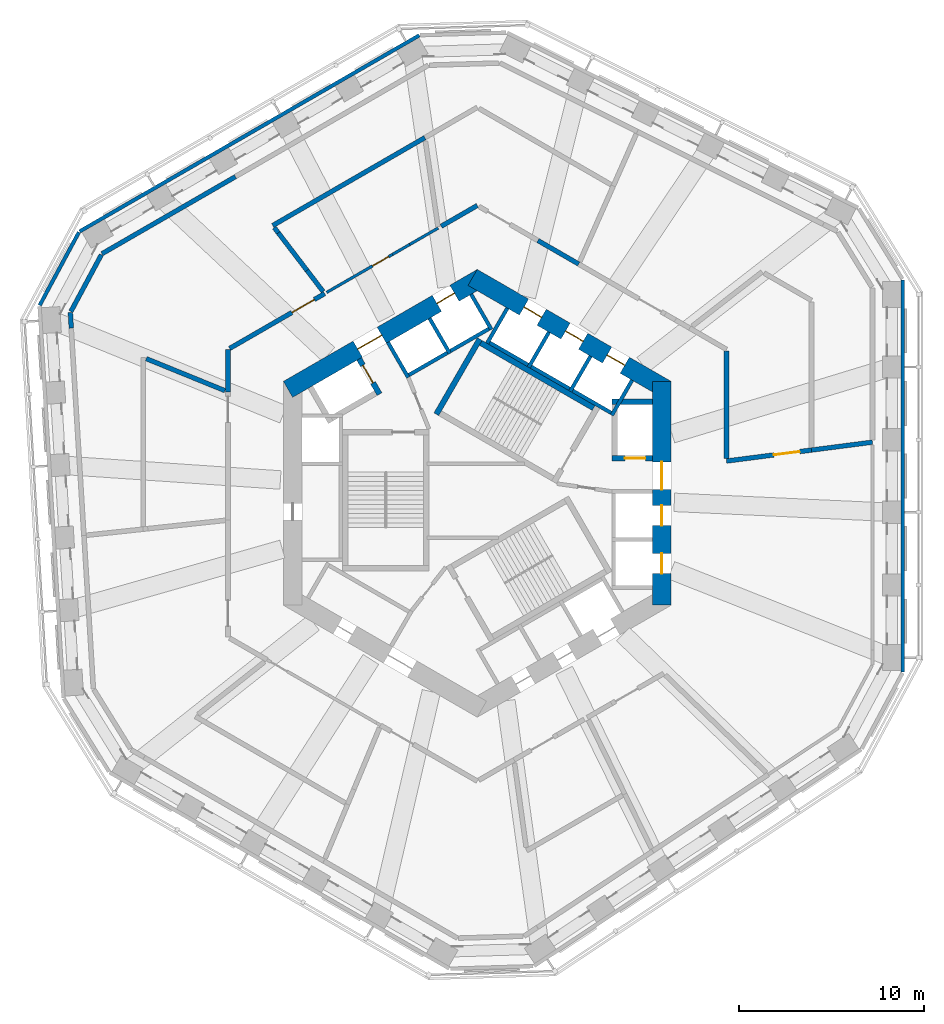
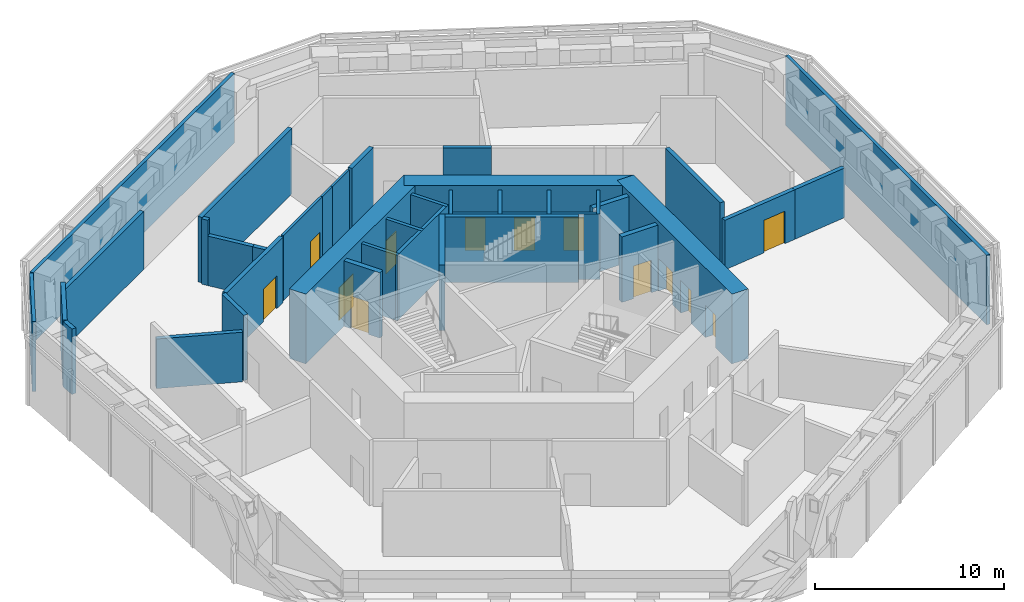
# One storey, part 7 of 15: 38 walls, 13 doors, 13 openings.
"""IFC4 building model written with IfcOpenShell, lengths in metres."""

from ifc_helpers import new_model, si_unit, direction, frame, frame_2d, origin, place, context, subcontext, project, spatial, rectangle, extrude, material, layer, layer_set, type_object, element, fill, save


model = new_model("IFC4")

# Units and contexts
model_context = context("Model", 3, precision=1e-05, world=origin(), true_north=direction((0.0, 1.0)))
body_context = subcontext(model_context, "Body", "Model", "MODEL_VIEW")
ifc_project = project(units=[si_unit("LENGTHUNIT", "METRE"), si_unit("AREAUNIT", "SQUARE_METRE"), si_unit("VOLUMEUNIT", "CUBIC_METRE"), si_unit("PLANEANGLEUNIT", "RADIAN"), si_unit("MASSUNIT", "GRAM", prefix="KILO")], contexts=[model_context])

# Site, building, storey
site_placement = place(None, origin())
site = spatial("IfcSite", under=ifc_project, at=site_placement, CompositionType="ELEMENT")
building_placement = place(site_placement, origin())
building = spatial("IfcBuilding", under=site, at=building_placement, Name="Vanh Sen Convention Tower", CompositionType="ELEMENT")
storey_placement = place(building_placement, frame((0.0, 0.0, 119.89990234375)))
storey = spatial("IfcBuildingStorey", under=building, at=storey_placement, Name="L29", CompositionType="ELEMENT", Elevation=119.89990234375)

# Wall, opening, door
ifc_material_1 = material(Name="Concrete C40/50", Category="concrete")
ifc_layer_1 = layer(ifc_material_1, 0.25)
ifc_layer_set_1 = layer_set([ifc_layer_1], Name="Concrete C40/50")
wall_type_1 = type_object("IfcWallType", Name="Concrete wall 250 EI 180", PredefinedType="SOLIDWALL", material=ifc_layer_set_1)
wall_1_placement = place(storey_placement, frame((18.10009765625, 2.341552734375, 0.0), z_axis=(0.0, 0.0, 1.0), x_axis=(-0.991739248087, -0.128270276382, 0.0)))
wall_1 = element("IfcWall", 1, at=wall_1_placement, inside=storey, type_object=wall_type_1, Name="Fire-resisting wall L29-041", PredefinedType="SOLIDWALL", context=body_context, shape_type="SweptSolid", body=[
    extrude(rectangle(XDim=4.638427734375, YDim=0.25, at=frame_2d((2.3193359375, 0.0))), origin(), (0.0, 0.0, 1.0), 3.2001953125),
])
opening_1_placement = place(wall_1_placement, frame((0.64990234375, 0.0, 0.0)))
opening_1 = element("IfcOpeningElement", 2, at=opening_1_placement, cuts=wall_1, Name="Opening D29107", PredefinedType="OPENING", context=body_context, shape_type="SweptSolid", body=[
    extrude(rectangle(XDim=1.39990234375, YDim=2.10009765625, at=frame_2d((0.699951171875, 1.050048828125))), frame((0.0, 0.135009765625, 0.0), z_axis=(0.0, -1.0, 0.0), x_axis=(1.0, 0.0, 0.0)), (0.0, 0.0, 1.0), 0.27001953125),
])
ifc_material_2 = material(Name="Steel S355", Category="steel")
door_type_1 = type_object("IfcDoorType", Name="Service door 1400 EI 60", OperationType="SINGLE_SWING_LEFT", PredefinedType="DOOR", material=ifc_material_2)
door_1_placement = place(opening_1_placement, origin())
door_1 = element("IfcDoor", 3, at=door_1_placement, inside=storey, type_object=door_type_1, Name="Service door D29107", OperationType="SINGLE_SWING_LEFT", OverallHeight=2.10009765625, OverallWidth=1.39990234375, PredefinedType="DOOR", context=body_context, shape_type="SweptSolid", body=[
    extrude(rectangle(XDim=1.39990234375, YDim=2.10009765625, at=frame_2d((0.699951171875, 1.050048828125))), frame((0.0, 0.02490234375, 0.0), z_axis=(0.0, -1.0, 0.0), x_axis=(1.0, 0.0, 0.0)), (0.0, 0.0, 1.0), 0.050048828125),
])
fill(opening_1, door_1)

# Walls
wall_2_placement = place(storey_placement, frame((18.100341796875, 2.341552734375, 0.0), z_axis=(0.0, 0.0, 1.0), x_axis=(0.99173002922, 0.128341533193, 0.0)))
element("IfcWall", 4, at=wall_2_placement, inside=storey, type_object=wall_type_1, Name="Fire-resisting wall L29-042", PredefinedType="SOLIDWALL", context=body_context, shape_type="SweptSolid", body=[
    extrude(rectangle(XDim=3.3271484375, YDim=0.25, at=frame_2d((1.66357421875, 0.0))), origin(), (0.0, 0.0, 1.0), 3.2001953125),
])
wall_3_placement = place(storey_placement, frame((-13.5, 5.491943359375, 0.0), z_axis=(0.0, 0.0, 1.0), x_axis=(0.0, 1.0, 0.0)))
element("IfcWall", 5, at=wall_3_placement, inside=storey, type_object=wall_type_1, Name="Fire-resisting wall L29-044", PredefinedType="SOLIDWALL", context=body_context, shape_type="SweptSolid", body=[
    extrude(rectangle(XDim=2.302001953125, YDim=0.25, at=frame_2d((1.15087890625, 0.0))), origin(), (0.0, 0.0, 1.0), 4.22021484375),
])
wall_4_placement = place(storey_placement, frame((-17.929443359375, 7.293701171875, 0.0), z_axis=(0.0, 0.0, 1.0), x_axis=(0.926302305382, -0.376781155373, 0.0)))
element("IfcWall", 6, at=wall_4_placement, inside=storey, type_object=wall_type_1, Name="Fire-resisting wall L29-045", PredefinedType="SOLIDWALL", context=body_context, shape_type="SweptSolid", body=[
    extrude(rectangle(XDim=4.601806640625, YDim=0.25, at=frame_2d((2.30078125, 0.0))), origin(), (0.0, 0.0, 1.0), 3.2001953125),
])
wall_5_placement = place(storey_placement, frame((13.5, 7.694091796875, 0.0), z_axis=(0.0, 0.0, 1.0), x_axis=(0.0, -1.0, 0.0)))
element("IfcWall", 7, at=wall_5_placement, inside=storey, type_object=wall_type_1, Name="Fire-resisting wall L29-046", PredefinedType="SOLIDWALL", context=body_context, shape_type="SweptSolid", body=[
    extrude(rectangle(XDim=5.8076171875, YDim=0.25, at=frame_2d((2.90380859375, 0.0))), origin(), (0.0, 0.0, 1.0), 4.22021484375),
])
wall_6_placement = place(storey_placement, frame((-21.987060546875, 8.944580078125, 0.0), z_axis=(0.0, 0.0, 1.0), x_axis=(-0.061285563041, 0.998120273195, 0.0)))
element("IfcWall", 8, at=wall_6_placement, inside=storey, type_object=wall_type_1, Name="Fire-resisting wall L29-048", PredefinedType="SOLIDWALL", context=body_context, shape_type="SweptSolid", body=[
    extrude(rectangle(XDim=0.8486328125, YDim=0.25, at=frame_2d((0.42431640625, 0.0))), origin(), (0.0, 0.0, 1.0), 4.22021484375),
])
wall_7_placement = place(storey_placement, frame((-22.010498046875, 9.84423828125, 0.0), z_axis=(0.0, 0.0, 1.0), x_axis=(0.473332602643, 0.88088378761, 0.0)))
element("IfcWall", 9, at=wall_7_placement, inside=storey, type_object=wall_type_1, Name="Fire-resisting wall L29-052", PredefinedType="SOLIDWALL", context=body_context, shape_type="SweptSolid", body=[
    extrude(rectangle(XDim=3.492431640625, YDim=0.25, at=frame_2d((1.74609375, 0.0))), origin(), (0.0, 0.0, 1.0), 4.22021484375),
])

# Wall, opening, door
wall_8_placement = place(storey_placement, frame((-8.262451171875, 10.818115234375, 0.0), z_axis=(0.0, 0.0, 1.0), x_axis=(-0.866006491466, -0.500032755666, 0.0)))
wall_8 = element("IfcWall", 10, at=wall_8_placement, inside=storey, type_object=wall_type_1, Name="Fire-resisting wall L29-054", PredefinedType="SOLIDWALL", context=body_context, shape_type="SweptSolid", body=[
    extrude(rectangle(XDim=5.94775390625, YDim=0.25, at=frame_2d((2.973876953125, 0.0))), origin(), (0.0, 0.0, 1.0), 4.22021484375),
])
opening_2_placement = place(wall_8_placement, frame((0.64990234375, 0.0, 0.0)))
opening_2 = element("IfcOpeningElement", 11, at=opening_2_placement, cuts=wall_8, Name="Opening D29109", PredefinedType="OPENING", context=body_context, shape_type="SweptSolid", body=[
    extrude(rectangle(XDim=1.39990234375, YDim=2.10009765625, at=frame_2d((0.699951171875, 1.050048828125))), frame((0.0, 0.135009765625, 0.0), z_axis=(0.0, -1.0, 0.0), x_axis=(1.0, 0.0, 0.0)), (0.0, 0.0, 1.0), 0.27001953125),
])
door_2_placement = place(opening_2_placement, origin())
door_2 = element("IfcDoor", 12, at=door_2_placement, inside=storey, type_object=door_type_1, Name="Service door D29109", OperationType="SINGLE_SWING_LEFT", OverallHeight=2.10009765625, OverallWidth=1.39990234375, PredefinedType="DOOR", context=body_context, shape_type="SweptSolid", body=[
    extrude(rectangle(XDim=1.39990234375, YDim=2.10009765625, at=frame_2d((0.699951171875, 1.050048828125))), frame((0.0, 0.02490234375, 0.0), z_axis=(0.0, -1.0, 0.0), x_axis=(1.0, 0.0, 0.0)), (0.0, 0.0, 1.0), 0.050048828125),
])
fill(opening_2, door_2)

# Walls
wall_9_placement = place(storey_placement, frame((-8.34765625, 10.929443359375, 0.0), z_axis=(0.0, 0.0, 1.0), x_axis=(-0.606915548717, 0.794766328379, 0.0)))
element("IfcWall", 13, at=wall_9_placement, inside=storey, type_object=wall_type_1, Name="Fire-resisting wall L29-056", PredefinedType="SOLIDWALL", context=body_context, shape_type="SweptSolid", body=[
    extrude(rectangle(XDim=1.44140625, YDim=0.25, at=frame_2d((0.720703125, 0.0))), origin(), (0.0, 0.0, 1.0), 3.2001953125),
])
wall_10_placement = place(storey_placement, frame((-9.222412109375, 12.074951171875, 0.0), z_axis=(0.0, 0.0, 1.0), x_axis=(-0.607067159329, 0.794650529518, 0.0)))
element("IfcWall", 14, at=wall_10_placement, inside=storey, type_object=wall_type_1, Name="Fire-resisting wall L29-060", PredefinedType="SOLIDWALL", context=body_context, shape_type="SweptSolid", body=[
    extrude(rectangle(XDim=2.55615234375, YDim=0.25, at=frame_2d((1.278076171875, 0.0))), origin(), (0.0, 0.0, 1.0), 3.2001953125),
])
wall_11_placement = place(storey_placement, frame((5.4951171875, 12.416015625, 0.0), z_axis=(0.0, 0.0, 1.0), x_axis=(-0.866043744811, 0.499968231064, 0.0)))
element("IfcWall", 15, at=wall_11_placement, inside=storey, type_object=wall_type_1, Name="Fire-resisting wall L29-061", PredefinedType="SOLIDWALL", context=body_context, shape_type="SweptSolid", body=[
    extrude(rectangle(XDim=2.551025390625, YDim=0.25, at=frame_2d((1.275390625, 0.0))), origin(), (0.0, 0.0, 1.0), 4.22021484375),
])
wall_12_placement = place(storey_placement, frame((-20.3291015625, 12.973388671875, 0.0), z_axis=(0.0, 0.0, 1.0), x_axis=(0.866019549707, 0.500010139422, 0.0)))
element("IfcWall", 16, at=wall_12_placement, inside=storey, type_object=wall_type_1, Name="Fire-resisting wall L29-063", PredefinedType="SOLIDWALL", context=body_context, shape_type="SweptSolid", body=[
    extrude(rectangle(XDim=8.349853515625, YDim=0.25, at=frame_2d((4.1748046875, 0.0))), origin(), (0.0, 0.0, 1.0), 3.72021484375),
])
wall_13_placement = place(storey_placement, frame((-10.991455078125, 14.390625, 0.0), z_axis=(0.0, 0.0, 1.0), x_axis=(0.607070265523, -0.794648156556, 0.0)))
element("IfcWall", 17, at=wall_13_placement, inside=storey, type_object=wall_type_1, Name="Fire-resisting wall L29-067", PredefinedType="SOLIDWALL", context=body_context, shape_type="SweptSolid", body=[
    extrude(rectangle(XDim=0.35791015625, YDim=0.25, at=frame_2d((0.178955078125, 0.0))), origin(), (0.0, 0.0, 1.0), 4.22021484375),
])
wall_14_placement = place(storey_placement, frame((-1.952392578125, 14.46142578125, 0.0), z_axis=(0.0, 0.0, 1.0), x_axis=(0.866075582212, 0.499913078341, 0.0)))
element("IfcWall", 18, at=wall_14_placement, inside=storey, type_object=wall_type_1, Name="Fire-resisting wall L29-069", PredefinedType="SOLIDWALL", context=body_context, shape_type="SweptSolid", body=[
    extrude(rectangle(XDim=2.25439453125, YDim=0.25, at=frame_2d((1.127197265625, 0.0))), origin(), (0.0, 0.0, 1.0), 4.22021484375),
])
wall_15_placement = place(storey_placement, frame((-11.077880859375, 14.50390625, 0.0), z_axis=(0.0, 0.0, 1.0), x_axis=(0.866009996143, 0.500026685868, 0.0)))
element("IfcWall", 19, at=wall_15_placement, inside=storey, type_object=wall_type_1, Name="Fire-resisting wall L29-070", PredefinedType="SOLIDWALL", context=body_context, shape_type="SweptSolid", body=[
    extrude(rectangle(XDim=9.5166015625, YDim=0.25, at=frame_2d((4.75830078125, 0.0))), origin(), (0.0, 0.0, 1.0), 4.22021484375),
])

# Wall, openings, doors
ifc_material_3 = material(Name="Concrete C80/95", Category="concrete")
ifc_layer_2 = layer(ifc_material_3, 1.0)
ifc_layer_set_2 = layer_set([ifc_layer_2], Name="Concrete C80/95")
wall_type_2 = type_object("IfcWallType", Name="Core outer wall 1000 C80/95", PredefinedType="SHEAR", material=ifc_layer_set_2)
wall_16_placement = place(storey_placement, frame((10.0, -6.062255859375, 0.0), z_axis=(0.0, 0.0, 1.0), x_axis=(0.0, 1.0, 0.0)))
wall_16 = element("IfcWall", 20, at=wall_16_placement, inside=storey, type_object=wall_type_2, Name="Core wall face E L29", PredefinedType="SHEAR", context=body_context, shape_type="SweptSolid", body=[
    extrude(rectangle(XDim=12.12451171875, YDim=1.0, at=frame_2d((6.062255859375, 0.0))), origin(), (0.0, 0.0, 1.0), 4.5),
])
opening_3_placement = place(wall_16_placement, frame((6.26220703125, 0.0, 0.0)))
opening_3 = element("IfcOpeningElement", 21, at=opening_3_placement, cuts=wall_16, Name="Opening D29001", PredefinedType="OPENING", context=body_context, shape_type="SweptSolid", body=[
    extrude(rectangle(XDim=1.5, YDim=2.10009765625, at=frame_2d((0.75, 1.050048828125))), frame((0.0, 0.510009765625, 0.0), z_axis=(0.0, -1.0, 0.0), x_axis=(1.0, 0.0, 0.0)), (0.0, 0.0, 1.0), 1.02001953125),
])
opening_4_placement = place(wall_16_placement, frame((1.712158203125, 0.0, 0.0)))
opening_4 = element("IfcOpeningElement", 22, at=opening_4_placement, cuts=wall_16, Name="Opening LD-LR1", PredefinedType="OPENING", context=body_context, shape_type="SweptSolid", body=[
    extrude(rectangle(XDim=1.10009765625, YDim=2.10009765625, at=frame_2d((0.550048828125, 1.050048828125))), frame((0.0, 0.510009765625, 0.0), z_axis=(0.0, -1.0, 0.0), x_axis=(1.0, 0.0, 0.0)), (0.0, 0.0, 1.0), 1.02001953125),
])
opening_5_placement = place(wall_16_placement, frame((4.312255859375, 0.0, 0.0)))
opening_5 = element("IfcOpeningElement", 23, at=opening_5_placement, cuts=wall_16, Name="Opening LD-LR2", PredefinedType="OPENING", context=body_context, shape_type="SweptSolid", body=[
    extrude(rectangle(XDim=1.10009765625, YDim=2.10009765625, at=frame_2d((0.550048828125, 1.050048828125))), frame((0.0, 0.510009765625, 0.0), z_axis=(0.0, -1.0, 0.0), x_axis=(1.0, 0.0, 0.0)), (0.0, 0.0, 1.0), 1.02001953125),
])
ifc_material_4 = material(Name="Stainless steel", Category="steel")
door_type_2 = type_object("IfcDoorType", Name="Lift landing door 1100", OperationType="DOUBLE_DOOR_SLIDING", PredefinedType="DOOR", material=ifc_material_4)
door_3_placement = place(opening_4_placement, origin())
door_3 = element("IfcDoor", 24, at=door_3_placement, inside=storey, type_object=door_type_2, Name="Lift LR1 landing door LD-LR1", OperationType="DOUBLE_DOOR_SLIDING", OverallHeight=2.10009765625, OverallWidth=1.10009765625, PredefinedType="DOOR", context=body_context, shape_type="SweptSolid", body=[
    extrude(rectangle(XDim=1.10009765625, YDim=2.10009765625, at=frame_2d((0.550048828125, 1.050048828125))), frame((0.0, 0.02490234375, 0.0), z_axis=(0.0, -1.0, 0.0), x_axis=(1.0, 0.0, 0.0)), (0.0, 0.0, 1.0), 0.050048828125),
])
fill(opening_4, door_3)
door_4_placement = place(opening_5_placement, origin())
door_4 = element("IfcDoor", 25, at=door_4_placement, inside=storey, type_object=door_type_2, Name="Lift LR2 landing door LD-LR2", OperationType="DOUBLE_DOOR_SLIDING", OverallHeight=2.10009765625, OverallWidth=1.10009765625, PredefinedType="DOOR", context=body_context, shape_type="SweptSolid", body=[
    extrude(rectangle(XDim=1.10009765625, YDim=2.10009765625, at=frame_2d((0.550048828125, 1.050048828125))), frame((0.0, 0.02490234375, 0.0), z_axis=(0.0, -1.0, 0.0), x_axis=(1.0, 0.0, 0.0)), (0.0, 0.0, 1.0), 0.050048828125),
])
fill(opening_5, door_4)
ifc_material_5 = material(Name="Steel S355", Category="steel")
door_type_3 = type_object("IfcDoorType", Name="Stair lobby door 1500", OperationType="DOUBLE_DOOR_SINGLE_SWING", PredefinedType="DOOR", material=ifc_material_5)
door_5_placement = place(opening_3_placement, origin())
door_5 = element("IfcDoor", 26, at=door_5_placement, inside=storey, type_object=door_type_3, Name="Stair lobby door D29001", OperationType="DOUBLE_DOOR_SINGLE_SWING", OverallHeight=2.10009765625, OverallWidth=1.5, PredefinedType="DOOR", context=body_context, shape_type="SweptSolid", body=[
    extrude(rectangle(XDim=1.5, YDim=2.10009765625, at=frame_2d((0.75, 1.050048828125))), frame((0.0, 0.02490234375, 0.0), z_axis=(0.0, -1.0, 0.0), x_axis=(1.0, 0.0, 0.0)), (0.0, 0.0, 1.0), 0.050048828125),
])
fill(opening_3, door_5)

wall_17_placement = place(storey_placement, frame((10.25, 5.629150390625, 0.0), z_axis=(0.0, 0.0, 1.0), x_axis=(-0.866022616891, 0.50000482701, 0.0)))
wall_17 = element("IfcWall", 27, at=wall_17_placement, inside=storey, type_object=wall_type_2, Name="Core wall face NE L29", PredefinedType="SHEAR", context=body_context, shape_type="SweptSolid", body=[
    extrude(rectangle(XDim=12.12451171875, YDim=1.0, at=frame_2d((6.062255859375, 0.0))), origin(), (0.0, 0.0, 1.0), 4.5),
])
opening_6_placement = place(wall_17_placement, frame((2.6123046875, 0.0, 0.0)))
opening_6 = element("IfcOpeningElement", 28, at=opening_6_placement, cuts=wall_17, Name="Opening LD-LR3", PredefinedType="OPENING", context=body_context, shape_type="SweptSolid", body=[
    extrude(rectangle(XDim=1.10009765625, YDim=2.10009765625, at=frame_2d((0.550048828125, 1.050048828125))), frame((0.0, 0.510009765625, 0.0), z_axis=(0.0, -1.0, 0.0), x_axis=(1.0, 0.0, 0.0)), (0.0, 0.0, 1.0), 1.02001953125),
])
opening_7_placement = place(wall_17_placement, frame((5.212158203125, 0.0, 0.0)))
opening_7 = element("IfcOpeningElement", 29, at=opening_7_placement, cuts=wall_17, Name="Opening LD-LR4", PredefinedType="OPENING", context=body_context, shape_type="SweptSolid", body=[
    extrude(rectangle(XDim=1.10009765625, YDim=2.10009765625, at=frame_2d((0.550048828125, 1.050048828125))), frame((0.0, 0.510009765625, 0.0), z_axis=(0.0, -1.0, 0.0), x_axis=(1.0, 0.0, 0.0)), (0.0, 0.0, 1.0), 1.02001953125),
])
opening_8_placement = place(wall_17_placement, frame((7.812255859375, 0.0, 0.0)))
opening_8 = element("IfcOpeningElement", 30, at=opening_8_placement, cuts=wall_17, Name="Opening LD-LR5", PredefinedType="OPENING", context=body_context, shape_type="SweptSolid", body=[
    extrude(rectangle(XDim=1.10009765625, YDim=2.10009765625, at=frame_2d((0.550048828125, 1.050048828125))), frame((0.0, 0.510009765625, 0.0), z_axis=(0.0, -1.0, 0.0), x_axis=(1.0, 0.0, 0.0)), (0.0, 0.0, 1.0), 1.02001953125),
])
door_6_placement = place(opening_6_placement, origin())
door_6 = element("IfcDoor", 31, at=door_6_placement, inside=storey, type_object=door_type_2, Name="Lift LR3 landing door LD-LR3", OperationType="DOUBLE_DOOR_SLIDING", OverallHeight=2.10009765625, OverallWidth=1.10009765625, PredefinedType="DOOR", context=body_context, shape_type="SweptSolid", body=[
    extrude(rectangle(XDim=1.10009765625, YDim=2.10009765625, at=frame_2d((0.550048828125, 1.050048828125))), frame((0.0, 0.02490234375, 0.0), z_axis=(0.0, -1.0, 0.0), x_axis=(1.0, 0.0, 0.0)), (0.0, 0.0, 1.0), 0.050048828125),
])
fill(opening_6, door_6)
door_7_placement = place(opening_7_placement, origin())
door_7 = element("IfcDoor", 32, at=door_7_placement, inside=storey, type_object=door_type_2, Name="Lift LR4 landing door LD-LR4", OperationType="DOUBLE_DOOR_SLIDING", OverallHeight=2.10009765625, OverallWidth=1.10009765625, PredefinedType="DOOR", context=body_context, shape_type="SweptSolid", body=[
    extrude(rectangle(XDim=1.10009765625, YDim=2.10009765625, at=frame_2d((0.550048828125, 1.050048828125))), frame((0.0, 0.02490234375, 0.0), z_axis=(0.0, -1.0, 0.0), x_axis=(1.0, 0.0, 0.0)), (0.0, 0.0, 1.0), 0.050048828125),
])
fill(opening_7, door_7)
door_8_placement = place(opening_8_placement, origin())
door_8 = element("IfcDoor", 33, at=door_8_placement, inside=storey, type_object=door_type_2, Name="Lift LR5 landing door LD-LR5", OperationType="DOUBLE_DOOR_SLIDING", OverallHeight=2.10009765625, OverallWidth=1.10009765625, PredefinedType="DOOR", context=body_context, shape_type="SweptSolid", body=[
    extrude(rectangle(XDim=1.10009765625, YDim=2.10009765625, at=frame_2d((0.550048828125, 1.050048828125))), frame((0.0, 0.02490234375, 0.0), z_axis=(0.0, -1.0, 0.0), x_axis=(1.0, 0.0, 0.0)), (0.0, 0.0, 1.0), 0.050048828125),
])
fill(opening_8, door_8)

wall_18_placement = place(storey_placement, frame((0.25, 11.69140625, 0.0), z_axis=(0.0, 0.0, 1.0), x_axis=(-0.866022616891, -0.50000482701, 0.0)))
wall_18 = element("IfcWall", 34, at=wall_18_placement, inside=storey, type_object=wall_type_2, Name="Core wall face NW L29", PredefinedType="SHEAR", context=body_context, shape_type="SweptSolid", body=[
    extrude(rectangle(XDim=12.12451171875, YDim=1.0, at=frame_2d((6.062255859375, 0.0))), origin(), (0.0, 0.0, 1.0), 4.5),
])
opening_9_placement = place(wall_18_placement, frame((6.26220703125, 0.0, 0.0)))
opening_9 = element("IfcOpeningElement", 35, at=opening_9_placement, cuts=wall_18, Name="Opening D29002", PredefinedType="OPENING", context=body_context, shape_type="SweptSolid", body=[
    extrude(rectangle(XDim=1.5, YDim=2.10009765625, at=frame_2d((0.75, 1.050048828125))), frame((0.0, 0.510009765625, 0.0), z_axis=(0.0, -1.0, 0.0), x_axis=(1.0, 0.0, 0.0)), (0.0, 0.0, 1.0), 1.02001953125),
])
opening_10_placement = place(wall_18_placement, frame((1.712158203125, 0.0, 0.0)))
opening_10 = element("IfcOpeningElement", 36, at=opening_10_placement, cuts=wall_18, Name="Opening LD-LR6", PredefinedType="OPENING", context=body_context, shape_type="SweptSolid", body=[
    extrude(rectangle(XDim=1.10009765625, YDim=2.10009765625, at=frame_2d((0.550048828125, 1.050048828125))), frame((0.0, 0.510009765625, 0.0), z_axis=(0.0, -1.0, 0.0), x_axis=(1.0, 0.0, 0.0)), (0.0, 0.0, 1.0), 1.02001953125),
])
door_9_placement = place(opening_10_placement, origin())
door_9 = element("IfcDoor", 37, at=door_9_placement, inside=storey, type_object=door_type_2, Name="Lift LR6 landing door LD-LR6", OperationType="DOUBLE_DOOR_SLIDING", OverallHeight=2.10009765625, OverallWidth=1.10009765625, PredefinedType="DOOR", context=body_context, shape_type="SweptSolid", body=[
    extrude(rectangle(XDim=1.10009765625, YDim=2.10009765625, at=frame_2d((0.550048828125, 1.050048828125))), frame((0.0, 0.02490234375, 0.0), z_axis=(0.0, -1.0, 0.0), x_axis=(1.0, 0.0, 0.0)), (0.0, 0.0, 1.0), 0.050048828125),
])
fill(opening_10, door_9)
door_10_placement = place(opening_9_placement, origin())
door_10 = element("IfcDoor", 38, at=door_10_placement, inside=storey, type_object=door_type_3, Name="Stair lobby door D29002", OperationType="DOUBLE_DOOR_SINGLE_SWING", OverallHeight=2.10009765625, OverallWidth=1.5, PredefinedType="DOOR", context=body_context, shape_type="SweptSolid", body=[
    extrude(rectangle(XDim=1.5, YDim=2.10009765625, at=frame_2d((0.75, 1.050048828125))), frame((0.0, 0.02490234375, 0.0), z_axis=(0.0, -1.0, 0.0), x_axis=(1.0, 0.0, 0.0)), (0.0, 0.0, 1.0), 0.050048828125),
])
fill(opening_9, door_10)

# Walls
ifc_material_6 = material(Name="Insulated lightweight infill wall")
ifc_layer_3 = layer(ifc_material_6, 0.199951171875)
ifc_layer_set_3 = layer_set([ifc_layer_3], Name="Insulated lightweight infill wall")
wall_type_3 = type_object("IfcWallType", Name="External wall 200", PredefinedType="STANDARD", material=ifc_layer_set_3)
wall_19_placement = place(storey_placement, frame((23.050048828125, -9.6865234375, 0.0), z_axis=(0.0, 0.0, 1.0), x_axis=(0.0, 1.0, 0.0)))
element("IfcWall", 39, at=wall_19_placement, inside=storey, type_object=wall_type_3, Name="External wall E L29", PredefinedType="STANDARD", context=body_context, shape_type="SweptSolid", body=[
    extrude(rectangle(XDim=21.24609375, YDim=0.199951171875, at=frame_2d((10.623046875, 0.0))), origin(), (0.0, 0.0, 1.0), 4.5),
])
wall_20_placement = place(storey_placement, frame((-3.135986328125, 24.80517578125, 0.0), z_axis=(0.0, 0.0, 1.0), x_axis=(-0.866028291626, -0.499994998079, 0.0)))
element("IfcWall", 40, at=wall_20_placement, inside=storey, type_object=wall_type_3, Name="External wall NW L29", PredefinedType="STANDARD", context=body_context, shape_type="SweptSolid", body=[
    extrude(rectangle(XDim=21.246337890625, YDim=0.199951171875, at=frame_2d((10.623046875, 0.0))), origin(), (0.0, 0.0, 1.0), 4.5),
])
wall_21_placement = place(storey_placement, frame((-21.573974609375, 14.142822265625, 0.0), z_axis=(0.0, 0.0, 1.0), x_axis=(-0.473292949472, -0.880905093628, 0.0)))
element("IfcWall", 41, at=wall_21_placement, inside=storey, type_object=wall_type_3, Name="External wall CH3 L29", PredefinedType="STANDARD", context=body_context, shape_type="SweptSolid", body=[
    extrude(rectangle(XDim=4.493896484375, YDim=0.199951171875, at=frame_2d((2.2470703125, 0.0))), origin(), (0.0, 0.0, 1.0), 4.5),
])

# Wall, opening, door
ifc_material_7 = material(Name="Concrete C60/75", Category="concrete")
ifc_layer_4 = layer(ifc_material_7, 0.300048828125)
ifc_layer_set_4 = layer_set([ifc_layer_4], Name="Concrete C60/75")
wall_type_4 = type_object("IfcWallType", Name="Fire-fighting lift shaft wall 300", PredefinedType="SHEAR", material=ifc_layer_set_4)
wall_22_placement = place(storey_placement, frame((7.300048828125, 1.89990234375, 0.0), z_axis=(0.0, 0.0, 1.0), x_axis=(1.0, 0.0, 0.0)))
wall_22 = element("IfcWall", 42, at=wall_22_placement, inside=storey, type_object=wall_type_4, Name="Fire-fighting lift shaft wall L29", PredefinedType="SHEAR", context=body_context, shape_type="SweptSolid", body=[
    extrude(rectangle(XDim=2.199951171875, YDim=0.300048828125, at=frame_2d((1.10009765625, 0.0))), origin(), (0.0, 0.0, 1.0), 4.22021484375),
])
opening_11_placement = place(wall_22_placement, frame((0.699951171875, 0.0, 0.0)))
opening_11 = element("IfcOpeningElement", 43, at=opening_11_placement, cuts=wall_22, Name="Opening LD-FF1", PredefinedType="OPENING", context=body_context, shape_type="SweptSolid", body=[
    extrude(rectangle(XDim=1.10009765625, YDim=2.10009765625, at=frame_2d((0.550048828125, 1.050048828125))), frame((0.0, 0.159912109375, 0.0), z_axis=(0.0, -1.0, 0.0), x_axis=(1.0, 0.0, 0.0)), (0.0, 0.0, 1.0), 0.320068359375),
])
door_type_4 = type_object("IfcDoorType", Name="Fire-fighting lift landing door 1100", OperationType="DOUBLE_DOOR_SLIDING", PredefinedType="DOOR", material=ifc_material_4)
door_11_placement = place(opening_11_placement, origin())
door_11 = element("IfcDoor", 44, at=door_11_placement, inside=storey, type_object=door_type_4, Name="Lift FF1 landing door LD-FF1", OperationType="DOUBLE_DOOR_SLIDING", OverallHeight=2.10009765625, OverallWidth=1.10009765625, PredefinedType="DOOR", context=body_context, shape_type="SweptSolid", body=[
    extrude(rectangle(XDim=1.10009765625, YDim=2.10009765625, at=frame_2d((0.550048828125, 1.050048828125))), frame((0.0, 0.02490234375, 0.0), z_axis=(0.0, -1.0, 0.0), x_axis=(1.0, 0.0, 0.0)), (0.0, 0.0, 1.0), 0.050048828125),
])
fill(opening_11, door_11)

# Wall
wall_23_placement = place(storey_placement, frame((7.300048828125, 4.949951171875, 0.0), z_axis=(0.0, 0.0, 1.0), x_axis=(1.0, 0.0, 0.0)))
element("IfcWall", 45, at=wall_23_placement, inside=storey, type_object=wall_type_4, Name="Fire-fighting lift shaft wall L29", PredefinedType="SHEAR", context=body_context, shape_type="SweptSolid", body=[
    extrude(rectangle(XDim=2.199951171875, YDim=0.300048828125, at=frame_2d((1.10009765625, 0.0))), origin(), (0.0, 0.0, 1.0), 4.22021484375),
])

# Wall, opening, door
wall_24_placement = place(storey_placement, frame((-5.29541015625, 5.3720703125, 0.0), z_axis=(0.0, 0.0, 1.0), x_axis=(-0.500077893725, 0.86598042715, 0.0)))
wall_24 = element("IfcWall", 46, at=wall_24_placement, inside=storey, type_object=wall_type_4, Name="Fire-fighting lift shaft wall L29", PredefinedType="SHEAR", context=body_context, shape_type="SweptSolid", body=[
    extrude(rectangle(XDim=2.199951171875, YDim=0.300048828125, at=frame_2d((1.10009765625, 0.0))), origin(), (0.0, 0.0, 1.0), 4.22021484375),
])
opening_12_placement = place(wall_24_placement, frame((0.699951171875, 0.0, 0.0)))
opening_12 = element("IfcOpeningElement", 47, at=opening_12_placement, cuts=wall_24, Name="Opening LD-FF2", PredefinedType="OPENING", context=body_context, shape_type="SweptSolid", body=[
    extrude(rectangle(XDim=1.10009765625, YDim=2.10009765625, at=frame_2d((0.550048828125, 1.050048828125))), frame((0.0, 0.159912109375, 0.0), z_axis=(0.0, -1.0, 0.0), x_axis=(1.0, 0.0, 0.0)), (0.0, 0.0, 1.0), 0.320068359375),
])
door_12_placement = place(opening_12_placement, origin())
door_12 = element("IfcDoor", 48, at=door_12_placement, inside=storey, type_object=door_type_4, Name="Lift FF2 landing door LD-FF2", OperationType="DOUBLE_DOOR_SLIDING", OverallHeight=2.10009765625, OverallWidth=1.10009765625, PredefinedType="DOOR", context=body_context, shape_type="SweptSolid", body=[
    extrude(rectangle(XDim=1.10009765625, YDim=2.10009765625, at=frame_2d((0.550048828125, 1.050048828125))), frame((0.0, 0.02490234375, 0.0), z_axis=(0.0, -1.0, 0.0), x_axis=(1.0, 0.0, 0.0)), (0.0, 0.0, 1.0), 0.050048828125),
])
fill(opening_12, door_12)

# Walls
ifc_layer_5 = layer(ifc_material_1, 0.199951171875)
ifc_layer_set_5 = layer_set([ifc_layer_5], Name="Concrete C40/50")
wall_type_5 = type_object("IfcWallType", Name="Lift shaft wall 200", PredefinedType="PARTITIONING", material=ifc_layer_set_5)
wall_25_placement = place(storey_placement, frame((7.423828125, 4.258544921875, 0.0), z_axis=(0.0, 0.0, 1.0), x_axis=(-0.866026010844, 0.49999894854, 0.0)))
element("IfcWall", 49, at=wall_25_placement, inside=storey, type_object=wall_type_5, Name="Lift shaft wall L29", PredefinedType="PARTITIONING", context=body_context, shape_type="SweptSolid", body=[
    extrude(rectangle(XDim=8.0, YDim=0.199951171875, at=frame_2d((4.0, 0.0))), origin(), (0.0, 0.0, 1.0), 4.22021484375),
])
for number, where, z_axis, x_axis, name in (
    (50, (7.287353515625, 4.221923828125, 0.0), (0.0, 0.0, 1.0), (0.499946605688, 0.86605622881, 0.0), "Lift shaft wall L29"),
    (51, (5.03564453125, 5.52197265625, 0.0), (0.0, 0.0, 1.0), (0.499946605688, 0.86605622881, 0.0), "Lift shaft wall L29"),
    (52, (2.783935546875, 6.822021484375, 0.0), (0.0, 0.0, 1.0), (0.50002983664, 0.866008176907, 0.0), "Lift shaft wall L29"),
    (53, (0.5322265625, 8.1220703125, 0.0), (0.0, 0.0, 1.0), (0.500077893725, 0.86598042715, 0.0), "Lift shaft wall L29"),
):
    element("IfcWall", number, at=place(storey_placement, frame(where, z_axis=z_axis, x_axis=x_axis)), inside=storey, type_object=wall_type_5, Name=name, PredefinedType="PARTITIONING", context=body_context, shape_type="SweptSolid", body=[
        extrude(rectangle(XDim=2.199951171875, YDim=0.199951171875, at=frame_2d((1.10009765625, 0.0))), origin(), (0.0, 0.0, 1.0), 4.22021484375),
    ])
wall_26_placement = place(storey_placement, frame((0.80322265625, 9.008544921875, 0.0), z_axis=(0.0, 0.0, 1.0), x_axis=(-0.866028230842, -0.499995103361, 0.0)))
element("IfcWall", 54, at=wall_26_placement, inside=storey, type_object=wall_type_5, Name="Lift shaft wall L29", PredefinedType="PARTITIONING", context=body_context, shape_type="SweptSolid", body=[
    extrude(rectangle(XDim=5.39990234375, YDim=0.199951171875, at=frame_2d((2.699951171875, 0.0))), origin(), (0.0, 0.0, 1.0), 4.22021484375),
])
wall_27_placement = place(storey_placement, frame((0.7666015625, 8.8720703125, 0.0), z_axis=(0.0, 0.0, 1.0), x_axis=(-0.499994660107, 0.866028486751, 0.0)))
element("IfcWall", 55, at=wall_27_placement, inside=storey, type_object=wall_type_5, Name="Lift shaft wall L29", PredefinedType="PARTITIONING", context=body_context, shape_type="SweptSolid", body=[
    extrude(rectangle(XDim=2.19970703125, YDim=0.199951171875, at=frame_2d((1.099853515625, 0.0))), origin(), (0.0, 0.0, 1.0), 4.22021484375),
])
for number, where, z_axis, x_axis, name in (
    (56, (-1.48486328125, 7.572021484375, 0.0), (0.0, 0.0, 1.0), (-0.50002983664, 0.866008176907, 0.0), "Lift shaft wall L29"),
    (57, (-3.736572265625, 6.27197265625, 0.0), (0.0, 0.0, 1.0), (-0.50002983664, 0.866008176907, 0.0), "Lift shaft wall L29"),
):
    element("IfcWall", number, at=place(storey_placement, frame(where, z_axis=z_axis, x_axis=x_axis)), inside=storey, type_object=wall_type_5, Name=name, PredefinedType="PARTITIONING", context=body_context, shape_type="SweptSolid", body=[
        extrude(rectangle(XDim=2.199951171875, YDim=0.199951171875, at=frame_2d((1.10009765625, 0.0))), origin(), (0.0, 0.0, 1.0), 4.22021484375),
    ])

# Wall, opening, door
ifc_material_8 = material(Name="Gypsum board on steel studs", Category="steel")
ifc_layer_6 = layer(ifc_material_8, 0.14990234375)
ifc_layer_set_6 = layer_set([ifc_layer_6], Name="Gypsum board on steel studs")
wall_type_6 = type_object("IfcWallType", Name="Partition 150 EI 60", PredefinedType="PARTITIONING", material=ifc_layer_set_6)
wall_28_placement = place(storey_placement, frame((-8.15869140625, 10.878173828125, 0.0), z_axis=(0.0, 0.0, 1.0), x_axis=(0.866031891337, 0.499988763061, 0.0)))
wall_28 = element("IfcWall", 58, at=wall_28_placement, inside=storey, type_object=wall_type_6, Name="Partition L29-055", PredefinedType="PARTITIONING", context=body_context, shape_type="SweptSolid", body=[
    extrude(rectangle(XDim=4.12646484375, YDim=0.14990234375, at=frame_2d((2.063232421875, 0.0))), origin(), (0.0, 0.0, 1.0), 4.22021484375),
])
opening_13_placement = place(wall_28_placement, frame((2.876708984375, 0.0, 0.0)))
opening_13 = element("IfcOpeningElement", 59, at=opening_13_placement, cuts=wall_28, Name="Opening D29110", PredefinedType="OPENING", context=body_context, shape_type="SweptSolid", body=[
    extrude(rectangle(XDim=1.0, YDim=2.10009765625, at=frame_2d((0.5, 1.050048828125))), frame((0.0, 0.0849609375, 0.0), z_axis=(0.0, -1.0, 0.0), x_axis=(1.0, 0.0, 0.0)), (0.0, 0.0, 1.0), 0.169921875),
])
ifc_material_9 = material(Name="Timber door in steel frame", Category="steel")
door_type_5 = type_object("IfcDoorType", Name="Room door 1000 EI 30", OperationType="SINGLE_SWING_LEFT", PredefinedType="DOOR", material=ifc_material_9)
door_13_placement = place(opening_13_placement, origin())
door_13 = element("IfcDoor", 60, at=door_13_placement, inside=storey, type_object=door_type_5, Name="Room door D29110", OperationType="SINGLE_SWING_LEFT", OverallHeight=2.10009765625, OverallWidth=1.0, PredefinedType="DOOR", context=body_context, shape_type="SweptSolid", body=[
    extrude(rectangle(XDim=1.0, YDim=2.10009765625, at=frame_2d((0.5, 1.050048828125))), frame((0.0, 0.02490234375, 0.0), z_axis=(0.0, -1.0, 0.0), x_axis=(1.0, 0.0, 0.0)), (0.0, 0.0, 1.0), 0.050048828125),
])
fill(opening_13, door_13)

# Walls
wall_29_placement = place(storey_placement, frame((-4.5849609375, 12.94140625, 0.0), z_axis=(0.0, 0.0, 1.0), x_axis=(0.866022692473, 0.500004696101, 0.0)))
element("IfcWall", 61, at=wall_29_placement, inside=storey, type_object=wall_type_6, Name="Partition L29-062", PredefinedType="PARTITIONING", context=body_context, shape_type="SweptSolid", body=[
    extrude(rectangle(XDim=1.0732421875, YDim=0.14990234375, at=frame_2d((0.53662109375, 0.0))), origin(), (0.0, 0.0, 1.0), 4.22021484375),
])
wall_30_placement = place(storey_placement, frame((-2.115478515625, 14.3671875, 0.0), z_axis=(0.0, 0.0, 1.0), x_axis=(-0.866020974757, -0.500007671222, 0.0)))
element("IfcWall", 62, at=wall_30_placement, inside=storey, type_object=wall_type_6, Name="Partition L29-066", PredefinedType="PARTITIONING", context=body_context, shape_type="SweptSolid", body=[
    extrude(rectangle(XDim=1.7783203125, YDim=0.14990234375, at=frame_2d((0.88916015625, 0.0))), origin(), (0.0, 0.0, 1.0), 4.22021484375),
])
ifc_layer_7 = layer(ifc_material_7, 0.300048828125)
ifc_layer_set_7 = layer_set([ifc_layer_7], Name="Concrete C60/75")
wall_type_7 = type_object("IfcWallType", Name="Stair wall 300", PredefinedType="SHEAR", material=ifc_layer_set_7)
wall_31_placement = place(storey_placement, frame((-2.216064453125, 4.28173828125, 0.0), z_axis=(0.0, 0.0, 1.0), x_axis=(0.499977259774, 0.866038532462, 0.0)))
element("IfcWall", 63, at=wall_31_placement, inside=storey, type_object=wall_type_7, Name="Stair wall L29", PredefinedType="SHEAR", context=body_context, shape_type="SweptSolid", body=[
    extrude(rectangle(XDim=4.699951171875, YDim=0.300048828125, at=frame_2d((2.35009765625, 0.0))), origin(), (0.0, 0.0, 1.0), 4.22021484375),
])
wall_32_placement = place(storey_placement, frame((6.302978515625, 4.6171875, 0.0), z_axis=(0.0, 0.0, 1.0), x_axis=(-0.866027801685, 0.499995846692, 0.0)))
element("IfcWall", 64, at=wall_32_placement, inside=storey, type_object=wall_type_7, Name="Stair wall L29", PredefinedType="SHEAR", context=body_context, shape_type="SweptSolid", body=[
    extrude(rectangle(XDim=7.06005859375, YDim=0.300048828125, at=frame_2d((3.530029296875, 0.0))), origin(), (0.0, 0.0, 1.0), 4.22021484375),
])

save(model, "model.ifc")
